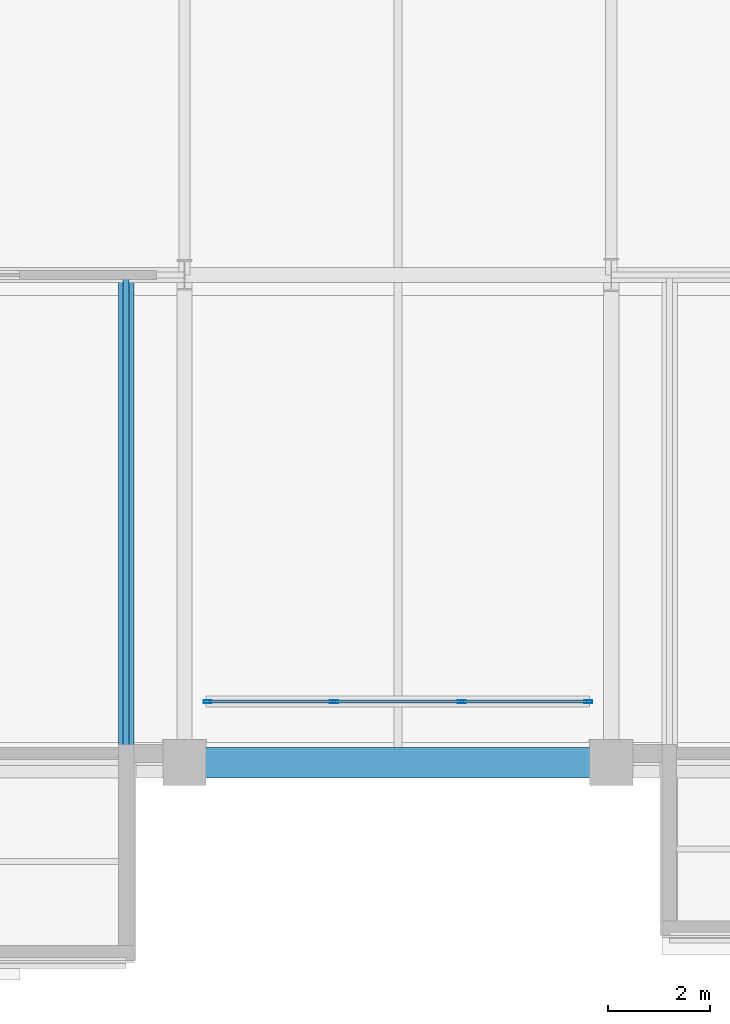
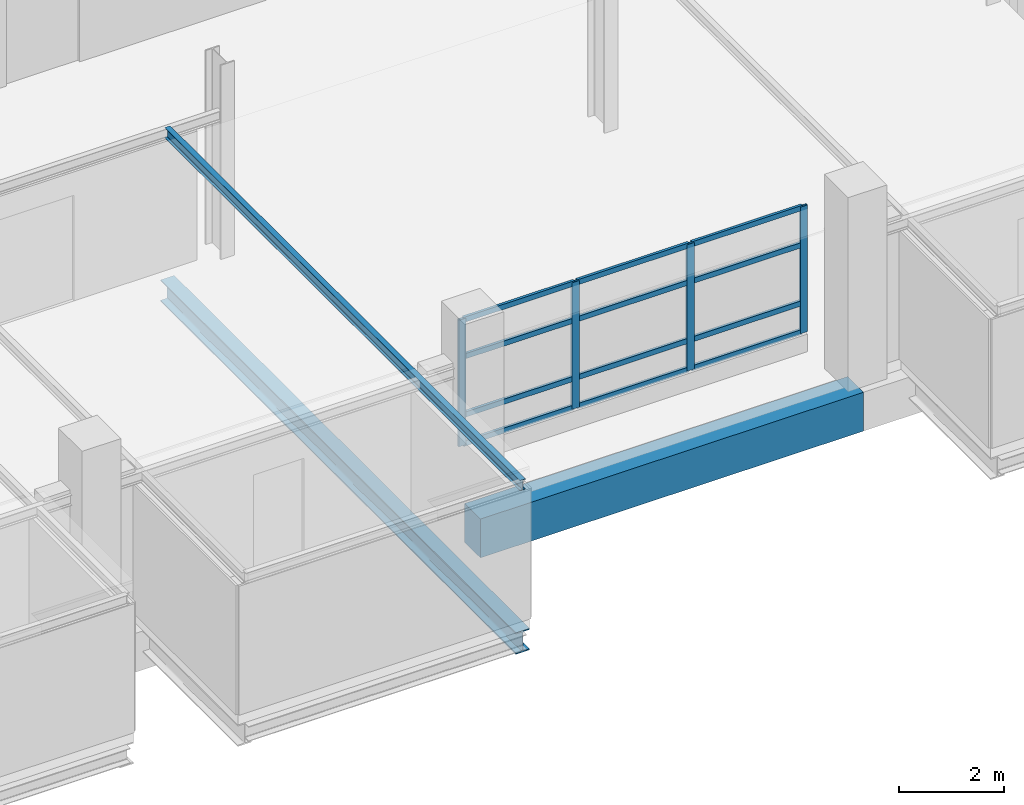
# One storey, part 45 of 130: 16 members, 3 beams, 1 element without a shape of its own.
"""IFC4 building model written with IfcOpenShell, lengths in metres."""

from ifc_helpers import new_model, si_unit, direction, frame, origin, origin_2d, place, context, subcontext, project, spatial, rectangle, hollow_rectangle, i_section, extrude, material, material_profile, profile_set, type_object, element, aggregate, save


model = new_model("IFC4")

# Units and contexts
model_context = context("Model", 3, precision=1e-05, world=origin(), true_north=direction((0.0, 1.0)))
body_context = subcontext(model_context, "Body", "Model", "MODEL_VIEW")
ifc_project = project(units=[si_unit("LENGTHUNIT", "METRE"), si_unit("AREAUNIT", "SQUARE_METRE"), si_unit("VOLUMEUNIT", "CUBIC_METRE"), si_unit("PLANEANGLEUNIT", "RADIAN"), si_unit("MASSUNIT", "GRAM", prefix="KILO")], contexts=[model_context])

# Site, building, storey
site_placement = place(None, origin())
site = spatial("IfcSite", under=ifc_project, at=site_placement, CompositionType="ELEMENT")
building_placement = place(site_placement, origin())
building = spatial("IfcBuilding", under=site, at=building_placement, Name="Veltarok Museum of Natural Sciences", CompositionType="ELEMENT")
storey_placement = place(building_placement, frame((0.0, 0.0, 12.89990234375)))
storey = spatial("IfcBuildingStorey", under=building, at=storey_placement, Name="L02", CompositionType="ELEMENT", Elevation=12.89990234375)

# Beams
ifc_material_1 = material(Name="Steel S355J2", Category="steel")
ifc_material_profile_1 = material_profile(ifc_material_1, i_section(OverallWidth=0.300048828125, OverallDepth=0.5, WebThickness=0.014404296875, FlangeThickness=0.028076171875, FilletRadius=0.027099609375, at=origin_2d()), Name="HEB 500")
ifc_profile_set_1 = profile_set([ifc_material_profile_1], Name="Steel S355J2")
beam_type_1 = type_object("IfcBeamType", Name="Cabinet Box Cantilever Girder HEB 500", PredefinedType="BEAM", material=ifc_profile_set_1)
beam_1_placement = place(storey_placement, frame((72.449951171875, -3.89990234375, -0.5), z_axis=(0.0, 1.0, 0.0), x_axis=(-1.0, 0.0, 0.0)))
element("IfcBeam", 1, at=beam_1_placement, inside=storey, type_object=beam_type_1, Name="Cabinet Cantilever Girder DB-09-2", PredefinedType="BEAM", context=body_context, shape_type="SweptSolid", body=[
    extrude(i_section(OverallWidth=0.300048828125, OverallDepth=0.5, WebThickness=0.014404296875, FlangeThickness=0.028076171875, FilletRadius=0.027099609375, at=origin_2d()), origin(), (0.0, 0.0, 1.0), 13.5),
])
ifc_material_profile_2 = material_profile(ifc_material_1, i_section(OverallWidth=0.1201171875, OverallDepth=0.239990234375, WebThickness=0.006103515625, FlangeThickness=0.009765625, FilletRadius=0.014892578125, at=origin_2d()), Name="IPE 240")
ifc_profile_set_2 = profile_set([ifc_material_profile_2], Name="Steel S355J2")
beam_type_2 = type_object("IfcBeamType", Name="Cabinet Box Secondary Joist IPE 240", PredefinedType="JOIST", material=ifc_profile_set_2)
beam_2_placement = place(storey_placement, frame((72.449951171875, -3.89990234375, 3.130126953125), z_axis=(0.0, 1.0, 0.0), x_axis=(-1.0, 0.0, 0.0)))
element("IfcBeam", 2, at=beam_2_placement, inside=storey, type_object=beam_type_2, Name="Cabinet Roof Rafter DB-09-2", PredefinedType="JOIST", context=body_context, shape_type="SweptSolid", body=[
    extrude(i_section(OverallWidth=0.1201171875, OverallDepth=0.239990234375, WebThickness=0.006103515625, FlangeThickness=0.009765625, FilletRadius=0.014892578125, at=origin_2d()), origin(), (0.0, 0.0, 1.0), 13.5),
])

# Curtain wall, members
ifc_material_2 = material(Name="Low-iron triple insulated glass", Category="glass")
curtain_wall_type = type_object("IfcCurtainWallType", Name="Curtain Wall System CW-CAB-L02-B-755x293 (V1 Recessed L02 755x293cm)", PredefinedType="NOTDEFINED", material=ifc_material_2)
curtain_wall_placement = place(storey_placement, origin())
curtain_wall = element("IfcCurtainWall", 3, at=curtain_wall_placement, inside=storey, type_object=curtain_wall_type, Name="Curtain Wall CW-CAB-L02-B-755x293 CW-0004", PredefinedType="NOTDEFINED")
ifc_material_3 = material(Name="Thermally broken anodised aluminium", Category="aluminium")
ifc_material_profile_3 = material_profile(ifc_material_3, hollow_rectangle(XDim=0.06005859375, YDim=0.1201171875, WallThickness=0.0048828125, at=origin_2d()), Name="CW TRANSOM 60x120x5")
ifc_profile_set_3 = profile_set([ifc_material_profile_3], Name="Thermally broken anodised aluminium")
member_type_1 = type_object("IfcMemberType", Name="Curtain Wall Horizontal Transom 60x120x5", PredefinedType="USERDEFINED", material=ifc_profile_set_3)
member_1_placement = place(storey_placement, frame((74.0849609375, 1.199951171875, 0.43017578125), z_axis=(1.0, 0.0, 0.0), x_axis=(0.0, 1.0, 0.0)))
member_1 = element("IfcMember", 4, at=member_1_placement, type_object=member_type_1, Name="CW-CAB-L02-B-755x293 transom 1.1", ObjectType="TRANSOM", PredefinedType="USERDEFINED", context=body_context, shape_type="SweptSolid", body=[
    extrude(hollow_rectangle(XDim=0.06005859375, YDim=0.1201171875, WallThickness=0.0048828125, at=origin_2d()), origin(), (0.0, 0.0, 1.0), 2.4267578125),
])
member_2_placement = place(storey_placement, frame((74.0849609375, 1.199951171875, 1.10009765625), z_axis=(1.0, 0.0, 0.0), x_axis=(0.0, 1.0, 0.0)))
member_2 = element("IfcMember", 5, at=member_2_placement, type_object=member_type_1, Name="CW-CAB-L02-B-755x293 transom 1.2", ObjectType="TRANSOM", PredefinedType="USERDEFINED", context=body_context, shape_type="SweptSolid", body=[
    extrude(hollow_rectangle(XDim=0.06005859375, YDim=0.1201171875, WallThickness=0.0048828125, at=origin_2d()), origin(), (0.0, 0.0, 1.0), 2.4267578125),
])
member_3_placement = place(storey_placement, frame((74.0849609375, 1.199951171875, 2.4501953125), z_axis=(1.0, 0.0, 0.0), x_axis=(0.0, 1.0, 0.0)))
member_3 = element("IfcMember", 6, at=member_3_placement, type_object=member_type_1, Name="CW-CAB-L02-B-755x293 transom 1.3", ObjectType="TRANSOM", PredefinedType="USERDEFINED", context=body_context, shape_type="SweptSolid", body=[
    extrude(hollow_rectangle(XDim=0.06005859375, YDim=0.1201171875, WallThickness=0.0048828125, at=origin_2d()), origin(), (0.0, 0.0, 1.0), 2.4267578125),
])
member_4_placement = place(storey_placement, frame((74.0849609375, 1.199951171875, 3.30517578125), z_axis=(1.0, 0.0, 0.0), x_axis=(0.0, 1.0, 0.0)))
member_4 = element("IfcMember", 7, at=member_4_placement, type_object=member_type_1, Name="CW-CAB-L02-B-755x293 transom 1.4", ObjectType="TRANSOM", PredefinedType="USERDEFINED", context=body_context, shape_type="SweptSolid", body=[
    extrude(hollow_rectangle(XDim=0.06005859375, YDim=0.1201171875, WallThickness=0.0048828125, at=origin_2d()), origin(), (0.0, 0.0, 1.0), 2.4267578125),
])
member_5_placement = place(storey_placement, frame((76.57177734375, 1.199951171875, 0.43017578125), z_axis=(1.0, 0.0, 0.0), x_axis=(0.0, 1.0, 0.0)))
member_5 = element("IfcMember", 8, at=member_5_placement, type_object=member_type_1, Name="CW-CAB-L02-B-755x293 transom 2.1", ObjectType="TRANSOM", PredefinedType="USERDEFINED", context=body_context, shape_type="SweptSolid", body=[
    extrude(hollow_rectangle(XDim=0.06005859375, YDim=0.1201171875, WallThickness=0.0048828125, at=origin_2d()), origin(), (0.0, 0.0, 1.0), 2.45654296875),
])
member_6_placement = place(storey_placement, frame((76.57177734375, 1.199951171875, 1.10009765625), z_axis=(1.0, 0.0, 0.0), x_axis=(0.0, 1.0, 0.0)))
member_6 = element("IfcMember", 9, at=member_6_placement, type_object=member_type_1, Name="CW-CAB-L02-B-755x293 transom 2.2", ObjectType="TRANSOM", PredefinedType="USERDEFINED", context=body_context, shape_type="SweptSolid", body=[
    extrude(hollow_rectangle(XDim=0.06005859375, YDim=0.1201171875, WallThickness=0.0048828125, at=origin_2d()), origin(), (0.0, 0.0, 1.0), 2.45654296875),
])
member_7_placement = place(storey_placement, frame((76.57177734375, 1.199951171875, 2.4501953125), z_axis=(1.0, 0.0, 0.0), x_axis=(0.0, 1.0, 0.0)))
member_7 = element("IfcMember", 10, at=member_7_placement, type_object=member_type_1, Name="CW-CAB-L02-B-755x293 transom 2.3", ObjectType="TRANSOM", PredefinedType="USERDEFINED", context=body_context, shape_type="SweptSolid", body=[
    extrude(hollow_rectangle(XDim=0.06005859375, YDim=0.1201171875, WallThickness=0.0048828125, at=origin_2d()), origin(), (0.0, 0.0, 1.0), 2.45654296875),
])
member_8_placement = place(storey_placement, frame((76.57177734375, 1.199951171875, 3.30517578125), z_axis=(1.0, 0.0, 0.0), x_axis=(0.0, 1.0, 0.0)))
member_8 = element("IfcMember", 11, at=member_8_placement, type_object=member_type_1, Name="CW-CAB-L02-B-755x293 transom 2.4", ObjectType="TRANSOM", PredefinedType="USERDEFINED", context=body_context, shape_type="SweptSolid", body=[
    extrude(hollow_rectangle(XDim=0.06005859375, YDim=0.1201171875, WallThickness=0.0048828125, at=origin_2d()), origin(), (0.0, 0.0, 1.0), 2.45654296875),
])
member_9_placement = place(storey_placement, frame((79.08837890625, 1.199951171875, 0.43017578125), z_axis=(1.0, 0.0, 0.0), x_axis=(0.0, 1.0, 0.0)))
member_9 = element("IfcMember", 12, at=member_9_placement, type_object=member_type_1, Name="CW-CAB-L02-B-755x293 transom 3.1", ObjectType="TRANSOM", PredefinedType="USERDEFINED", context=body_context, shape_type="SweptSolid", body=[
    extrude(hollow_rectangle(XDim=0.06005859375, YDim=0.1201171875, WallThickness=0.0048828125, at=origin_2d()), origin(), (0.0, 0.0, 1.0), 2.426513671875),
])
member_10_placement = place(storey_placement, frame((79.08837890625, 1.199951171875, 1.10009765625), z_axis=(1.0, 0.0, 0.0), x_axis=(0.0, 1.0, 0.0)))
member_10 = element("IfcMember", 13, at=member_10_placement, type_object=member_type_1, Name="CW-CAB-L02-B-755x293 transom 3.2", ObjectType="TRANSOM", PredefinedType="USERDEFINED", context=body_context, shape_type="SweptSolid", body=[
    extrude(hollow_rectangle(XDim=0.06005859375, YDim=0.1201171875, WallThickness=0.0048828125, at=origin_2d()), origin(), (0.0, 0.0, 1.0), 2.426513671875),
])
member_11_placement = place(storey_placement, frame((79.08837890625, 1.199951171875, 2.4501953125), z_axis=(1.0, 0.0, 0.0), x_axis=(0.0, 1.0, 0.0)))
member_11 = element("IfcMember", 14, at=member_11_placement, type_object=member_type_1, Name="CW-CAB-L02-B-755x293 transom 3.3", ObjectType="TRANSOM", PredefinedType="USERDEFINED", context=body_context, shape_type="SweptSolid", body=[
    extrude(hollow_rectangle(XDim=0.06005859375, YDim=0.1201171875, WallThickness=0.0048828125, at=origin_2d()), origin(), (0.0, 0.0, 1.0), 2.426513671875),
])
member_12_placement = place(storey_placement, frame((79.08837890625, 1.199951171875, 3.30517578125), z_axis=(1.0, 0.0, 0.0), x_axis=(0.0, 1.0, 0.0)))
member_12 = element("IfcMember", 15, at=member_12_placement, type_object=member_type_1, Name="CW-CAB-L02-B-755x293 transom 3.4", ObjectType="TRANSOM", PredefinedType="USERDEFINED", context=body_context, shape_type="SweptSolid", body=[
    extrude(hollow_rectangle(XDim=0.06005859375, YDim=0.1201171875, WallThickness=0.0048828125, at=origin_2d()), origin(), (0.0, 0.0, 1.0), 2.426513671875),
])
ifc_material_profile_4 = material_profile(ifc_material_3, hollow_rectangle(XDim=0.06005859375, YDim=0.159912109375, WallThickness=0.0048828125, at=origin_2d()), Name="CW MULLION 60x160x5")
ifc_profile_set_4 = profile_set([ifc_material_profile_4], Name="Thermally broken anodised aluminium")
member_type_2 = type_object("IfcMemberType", Name="Curtain Wall Vertical Mullion 60x160x5", PredefinedType="MULLION", material=ifc_profile_set_4)
member_13_placement = place(storey_placement, frame((74.054931640625, 1.199951171875, 0.400146484375), z_axis=(0.0, 0.0, 1.0), x_axis=(0.0, 1.0, 0.0)))
member_13 = element("IfcMember", 16, at=member_13_placement, type_object=member_type_2, Name="CW-CAB-L02-B-755x293 mullion 1", PredefinedType="MULLION", context=body_context, shape_type="SweptSolid", body=[
    extrude(hollow_rectangle(XDim=0.06005859375, YDim=0.159912109375, WallThickness=0.0048828125, at=origin_2d()), origin(), (0.0, 0.0, 1.0), 2.93505859375),
])
member_14_placement = place(storey_placement, frame((76.541748046875, 1.199951171875, 0.400146484375), z_axis=(0.0, 0.0, 1.0), x_axis=(0.0, 1.0, 0.0)))
member_14 = element("IfcMember", 17, at=member_14_placement, type_object=member_type_2, Name="CW-CAB-L02-B-755x293 mullion 2", PredefinedType="MULLION", context=body_context, shape_type="SweptSolid", body=[
    extrude(hollow_rectangle(XDim=0.06005859375, YDim=0.159912109375, WallThickness=0.0048828125, at=origin_2d()), origin(), (0.0, 0.0, 1.0), 2.93505859375),
])
member_15_placement = place(storey_placement, frame((79.058349609375, 1.199951171875, 0.400146484375), z_axis=(0.0, 0.0, 1.0), x_axis=(0.0, 1.0, 0.0)))
member_15 = element("IfcMember", 18, at=member_15_placement, type_object=member_type_2, Name="CW-CAB-L02-B-755x293 mullion 3", PredefinedType="MULLION", context=body_context, shape_type="SweptSolid", body=[
    extrude(hollow_rectangle(XDim=0.06005859375, YDim=0.159912109375, WallThickness=0.0048828125, at=origin_2d()), origin(), (0.0, 0.0, 1.0), 2.93505859375),
])
member_16_placement = place(storey_placement, frame((81.544921875, 1.199951171875, 0.400146484375), z_axis=(0.0, 0.0, 1.0), x_axis=(0.0, 1.0, 0.0)))
member_16 = element("IfcMember", 19, at=member_16_placement, type_object=member_type_2, Name="CW-CAB-L02-B-755x293 mullion 4", PredefinedType="MULLION", context=body_context, shape_type="SweptSolid", body=[
    extrude(hollow_rectangle(XDim=0.06005859375, YDim=0.159912109375, WallThickness=0.0048828125, at=origin_2d()), origin(), (0.0, 0.0, 1.0), 2.93505859375),
])
aggregate(curtain_wall, [member_13, member_14, member_15, member_16, member_1, member_2, member_3, member_4, member_5, member_6, member_7, member_8, member_9, member_10, member_11, member_12])

# Beam
ifc_material_4 = material(Name="Concrete C40/50", Category="concrete")
ifc_material_profile_5 = material_profile(ifc_material_4, rectangle(XDim=0.60009765625, YDim=0.89990234375, at=origin_2d()), Name="RC 600x900")
ifc_profile_set_5 = profile_set([ifc_material_profile_5], Name="Concrete C40/50")
beam_type_3 = type_object("IfcBeamType", Name="Exposed Cabinet Perimeter Spandrel RC 600x900", PredefinedType="SPANDREL", material=ifc_profile_set_5)
beam_3_placement = place(storey_placement, frame((73.60009765625, 0.0, -0.699951171875), z_axis=(1.0, 0.0, 0.0), x_axis=(0.0, 1.0, 0.0)))
element("IfcBeam", 20, at=beam_3_placement, inside=storey, type_object=beam_type_3, Name="Beam BM-SP01 L02 9-10/A", PredefinedType="SPANDREL", context=body_context, shape_type="SweptSolid", body=[
    extrude(rectangle(XDim=0.60009765625, YDim=0.89990234375, at=origin_2d()), origin(), (0.0, 0.0, 1.0), 8.39990234375),
])

save(model, "model.ifc")
